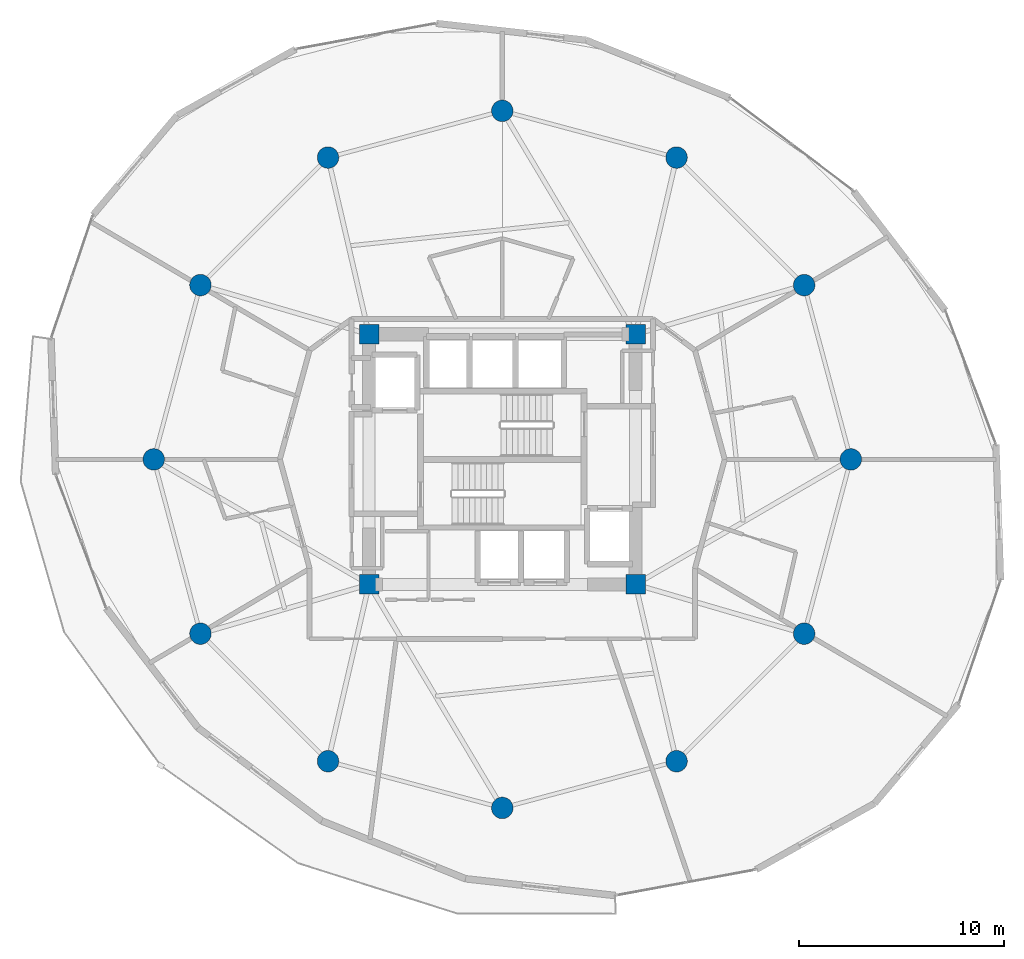
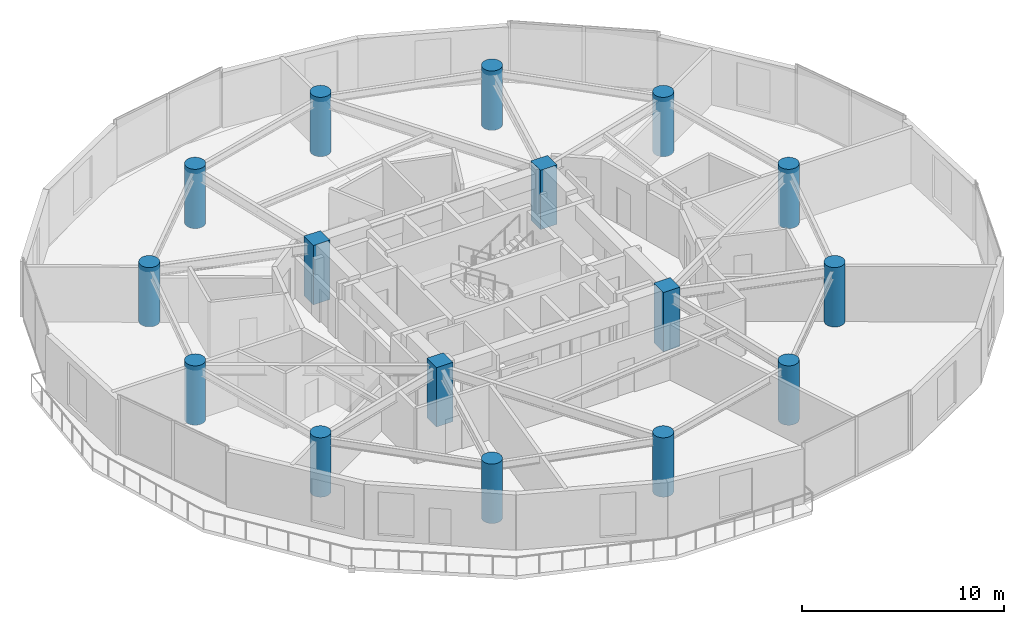
# One storey, part 1 of 25: 16 columns.
"""IFC4 building model written with IfcOpenShell, lengths in metres."""

from ifc_helpers import new_model, si_unit, direction, frame, origin, origin_2d, place, context, subcontext, project, spatial, rectangle, circle, extrude, material, material_profile, profile_set, type_object, element, save


model = new_model("IFC4")

# Units and contexts
model_context = context("Model", 3, precision=1e-05, world=origin(), true_north=direction((0.0, 1.0)))
body_context = subcontext(model_context, "Body", "Model", "MODEL_VIEW")
ifc_project = project(units=[si_unit("LENGTHUNIT", "METRE"), si_unit("AREAUNIT", "SQUARE_METRE"), si_unit("VOLUMEUNIT", "CUBIC_METRE"), si_unit("PLANEANGLEUNIT", "RADIAN"), si_unit("MASSUNIT", "GRAM", prefix="KILO")], contexts=[model_context])

# Site, building, storey
site_placement = place(None, origin())
site = spatial("IfcSite", under=ifc_project, at=site_placement, CompositionType="ELEMENT")
building_placement = place(site_placement, origin())
building = spatial("IfcBuilding", under=site, at=building_placement, Name="Solvirekh Grand Hotel", CompositionType="ELEMENT")
storey_placement = place(building_placement, frame((0.0, 0.0, 106.199951171875)))
storey = spatial("IfcBuildingStorey", under=building, at=storey_placement, Name="L26", CompositionType="ELEMENT", Elevation=106.199951171875)

# Columns
ifc_material = material(Name="Concrete C50/60", Category="concrete")
ifc_material_profile_1 = material_profile(ifc_material, rectangle(XDim=0.949951171875, YDim=0.949951171875, at=origin_2d()), Name="RC 950X950")
ifc_profile_set_1 = profile_set([ifc_material_profile_1], Name="Concrete C50/60")
column_type_1 = type_object("IfcColumnType", Name="Col_Core_950", PredefinedType="COLUMN", material=ifc_profile_set_1)
for number, where, z_axis, x_axis, name in (
    (1, (-6.5, -6.10009765625, 0.0), (0.0, 0.0, 1.0), (1.0, 0.0, 0.0), "L26 core corner column CC1"),
    (2, (6.5, -6.10009765625, 0.0), (0.0, 0.0, 1.0), (1.0, 0.0, 0.0), "L26 core corner column CC2"),
    (3, (6.5, 6.10009765625, 0.0), (0.0, 0.0, 1.0), (1.0, 0.0, 0.0), "L26 core corner column CC3"),
    (4, (-6.5, 6.10009765625, 0.0), (0.0, 0.0, 1.0), (1.0, 0.0, 0.0), "L26 core corner column CC4"),
):
    element("IfcColumn", number, at=place(storey_placement, frame(where, z_axis=z_axis, x_axis=x_axis)), inside=storey, type_object=column_type_1, Name=name, PredefinedType="COLUMN", context=body_context, shape_type="SweptSolid", body=[
        extrude(rectangle(XDim=0.949951171875, YDim=0.949951171875, at=origin_2d()), origin(), (0.0, 0.0, 1.0), 3.60009765625),
    ])
ifc_material_profile_2 = material_profile(ifc_material, circle(Radius=0.52490234375, at=origin_2d()), Name="RC CIRC D1050")
ifc_profile_set_2 = profile_set([ifc_material_profile_2], Name="Concrete C50/60")
column_type_2 = type_object("IfcColumnType", Name="Col_Z2_D1050", PredefinedType="COLUMN", material=ifc_profile_set_2)
for number, where, z_axis, x_axis, name in (
    (5, (17.0, 0.0, 0.0), (0.0, 0.0, 1.0), (1.0, 0.0, 0.0), "L26 perimeter column P01"),
    (6, (14.721923828125, 8.5, 0.0), (0.0, 0.0, 1.0), (1.0, 0.0, 0.0), "L26 perimeter column P02"),
    (7, (8.5, 14.721923828125, 0.0), (0.0, 0.0, 1.0), (1.0, 0.0, 0.0), "L26 perimeter column P03"),
    (8, (0.0, 17.0, 0.0), (0.0, 0.0, 1.0), (1.0, 0.0, 0.0), "L26 perimeter column P04"),
    (9, (-8.5, 14.721923828125, 0.0), (0.0, 0.0, 1.0), (1.0, 0.0, 0.0), "L26 perimeter column P05"),
    (10, (-14.721923828125, 8.5, 0.0), (0.0, 0.0, 1.0), (1.0, 0.0, 0.0), "L26 perimeter column P06"),
    (11, (-17.0, 0.0, 0.0), (0.0, 0.0, 1.0), (1.0, 0.0, 0.0), "L26 perimeter column P07"),
    (12, (-14.721923828125, -8.5, 0.0), (0.0, 0.0, 1.0), (1.0, 0.0, 0.0), "L26 perimeter column P08"),
    (13, (-8.5, -14.721923828125, 0.0), (0.0, 0.0, 1.0), (1.0, 0.0, 0.0), "L26 perimeter column P09"),
    (14, (0.0, -17.0, 0.0), (0.0, 0.0, 1.0), (1.0, 0.0, 0.0), "L26 perimeter column P10"),
    (15, (8.5, -14.721923828125, 0.0), (0.0, 0.0, 1.0), (1.0, 0.0, 0.0), "L26 perimeter column P11"),
    (16, (14.721923828125, -8.5, 0.0), (0.0, 0.0, 1.0), (1.0, 0.0, 0.0), "L26 perimeter column P12"),
):
    element("IfcColumn", number, at=place(storey_placement, frame(where, z_axis=z_axis, x_axis=x_axis)), inside=storey, type_object=column_type_2, Name=name, PredefinedType="COLUMN", context=body_context, shape_type="SweptSolid", body=[
        extrude(circle(Radius=0.52490234375, at=origin_2d()), origin(), (0.0, 0.0, 1.0), 3.60009765625),
    ])

save(model, "model.ifc")
